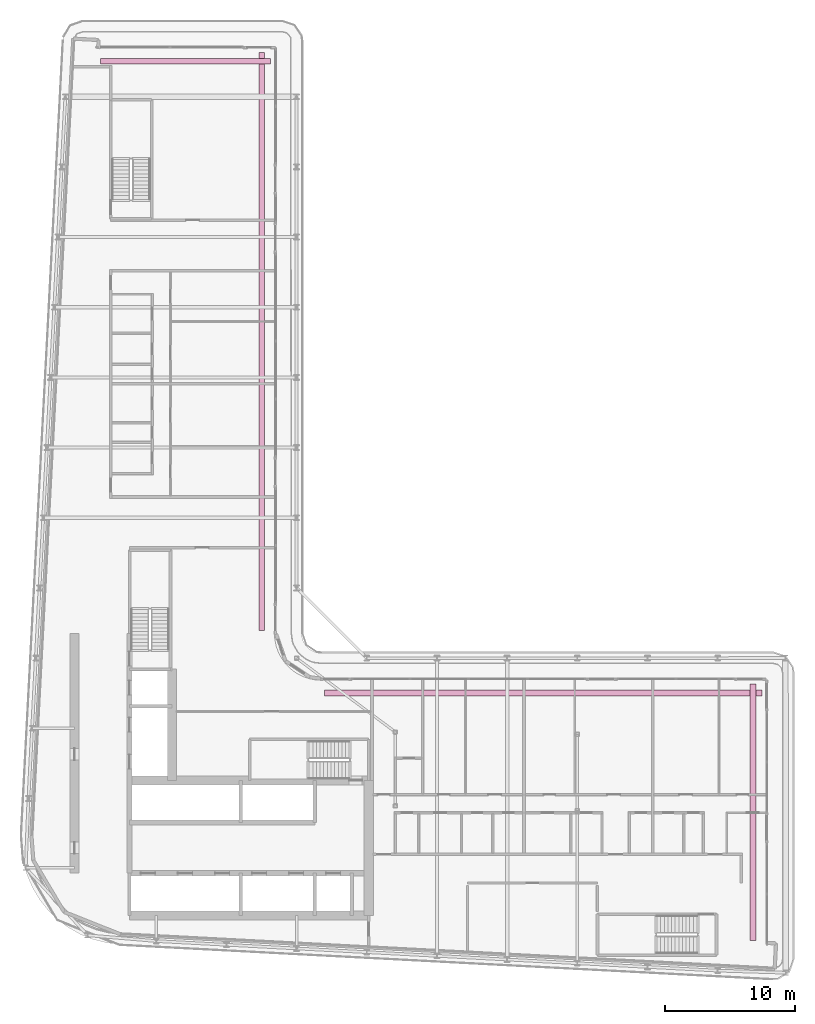
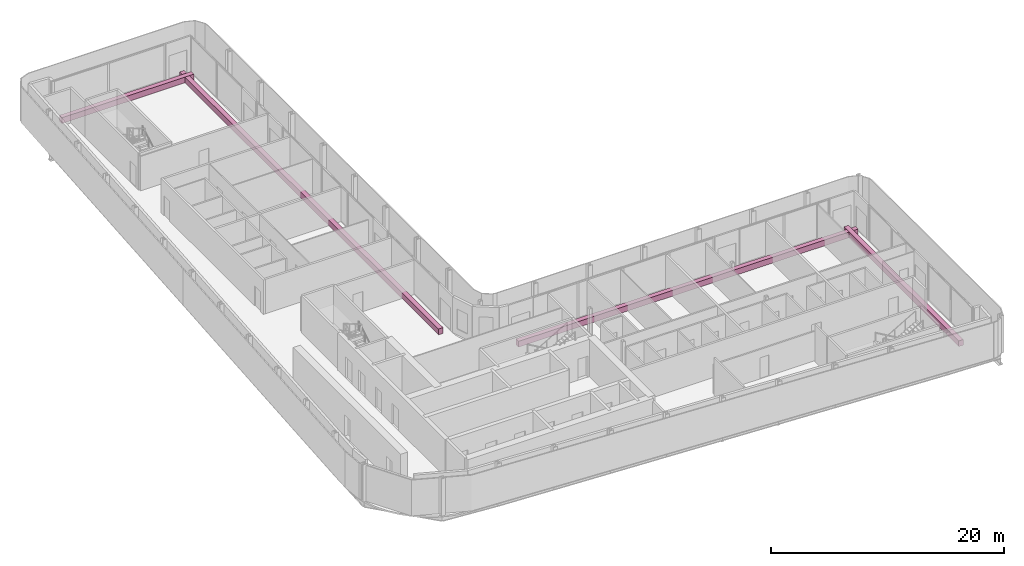
# One storey, part 21 of 21: 4 furniture elements.
"""IFC4 building model written with IfcOpenShell, lengths in metres."""

from ifc_helpers import new_model, si_unit, direction, frame, origin, origin_2d, place, context, subcontext, project, spatial, rectangle, extrude, material, type_object, element, save


model = new_model("IFC4")

# Units and contexts
model_context = context("Model", 3, precision=1e-05, world=origin(), true_north=direction((0.0, 1.0)))
body_context = subcontext(model_context, "Body", "Model", "MODEL_VIEW")
ifc_project = project(units=[si_unit("LENGTHUNIT", "METRE"), si_unit("AREAUNIT", "SQUARE_METRE"), si_unit("VOLUMEUNIT", "CUBIC_METRE"), si_unit("PLANEANGLEUNIT", "RADIAN"), si_unit("MASSUNIT", "GRAM", prefix="KILO")], contexts=[model_context])

# Site, building, storey
site_placement = place(None, origin())
site = spatial("IfcSite", under=ifc_project, at=site_placement, CompositionType="ELEMENT")
building_placement = place(site_placement, origin())
building = spatial("IfcBuilding", under=site, at=building_placement, Name="Kheshtan School and Residences Tower", CompositionType="ELEMENT")
storey_placement = place(building_placement, frame((0.0, 0.0, 235.699951171875)))
storey = spatial("IfcBuildingStorey", under=building, at=storey_placement, Name="L55", CompositionType="ELEMENT", Elevation=235.699951171875)

# Furniture
ifc_material = material(Name="Precast concrete C30/37 in terracotta finish", Category="masonry")
furniture_type = type_object("IfcFurnitureType", Name="Planter trough", AssemblyPlace="NOTDEFINED", PredefinedType="USERDEFINED", material=ifc_material)
furniture_1_placement = place(storey_placement, frame((39.053955078125, 91.52490234375, 0.0), z_axis=(0.0, 0.0, 1.0), x_axis=(1.0, 0.0, 0.0)))
element("IfcFurniture", 1, at=furniture_1_placement, inside=storey, type_object=furniture_type, Name="Planter L55", ObjectType="PLANTER", PredefinedType="USERDEFINED", context=body_context, shape_type="SweptSolid", body=[
    extrude(rectangle(XDim=13.092041015625, YDim=0.449951171875, at=origin_2d()), origin(), (0.0, 0.0, 1.0), 0.60009765625),
])
furniture_2_placement = place(storey_placement, frame((44.925048828125, 69.965087890625, 0.0), z_axis=(0.0, 0.0, 1.0), x_axis=(0.0, -1.0, 0.0)))
element("IfcFurniture", 2, at=furniture_2_placement, inside=storey, type_object=furniture_type, Name="Planter L55", ObjectType="PLANTER", PredefinedType="USERDEFINED", context=body_context, shape_type="SweptSolid", body=[
    extrude(rectangle(XDim=44.469970703125, YDim=0.449951171875, at=origin_2d()), origin(), (0.0, 0.0, 1.0), 0.60009765625),
])
furniture_3_placement = place(storey_placement, frame((66.56494140625, 42.925048828125, 0.0), z_axis=(0.0, 0.0, 1.0), x_axis=(1.0, 0.0, 0.0)))
element("IfcFurniture", 3, at=furniture_3_placement, inside=storey, type_object=furniture_type, Name="Planter L55", ObjectType="PLANTER", PredefinedType="USERDEFINED", context=body_context, shape_type="SweptSolid", body=[
    extrude(rectangle(XDim=33.669921875, YDim=0.449951171875, at=origin_2d()), origin(), (0.0, 0.0, 1.0), 0.60009765625),
])
furniture_4_placement = place(storey_placement, frame((82.72509765625, 33.73291015625, 0.0), z_axis=(0.0, 0.0, 1.0), x_axis=(0.0, -1.0, 0.0)))
element("IfcFurniture", 4, at=furniture_4_placement, inside=storey, type_object=furniture_type, Name="Planter L55", ObjectType="PLANTER", PredefinedType="USERDEFINED", context=body_context, shape_type="SweptSolid", body=[
    extrude(rectangle(XDim=19.73291015625, YDim=0.449951171875, at=origin_2d()), origin(), (0.0, 0.0, 1.0), 0.60009765625),
])

save(model, "model.ifc")
